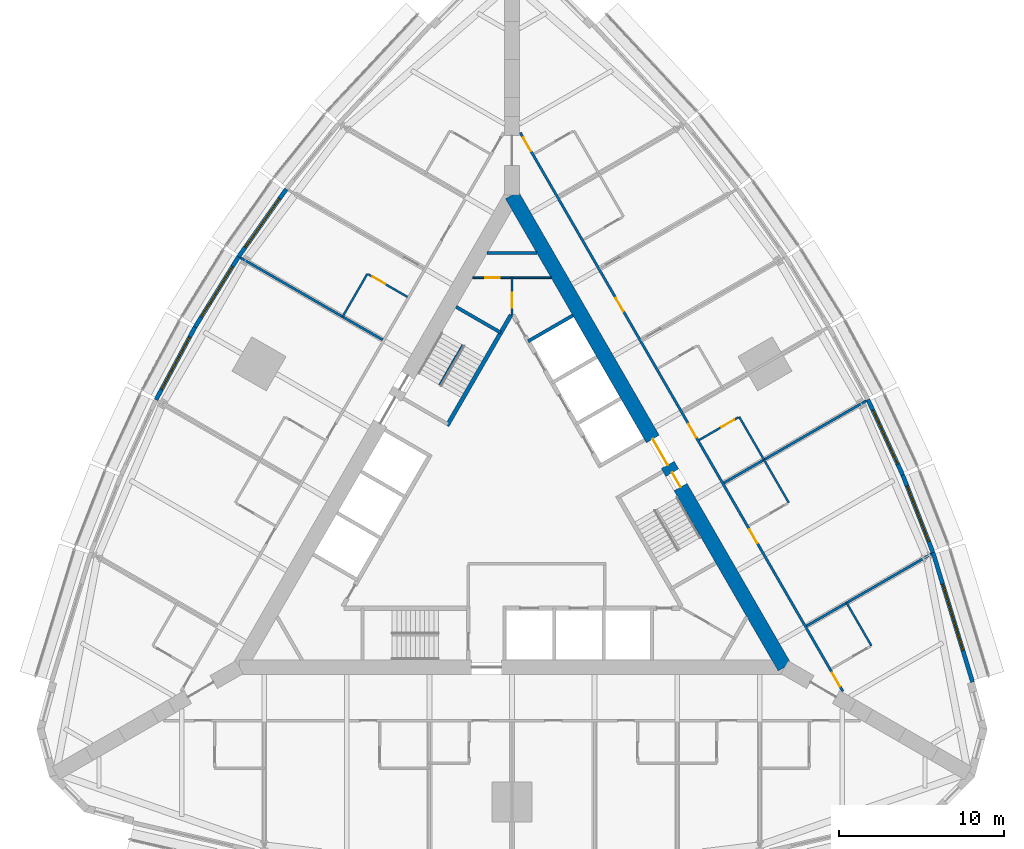
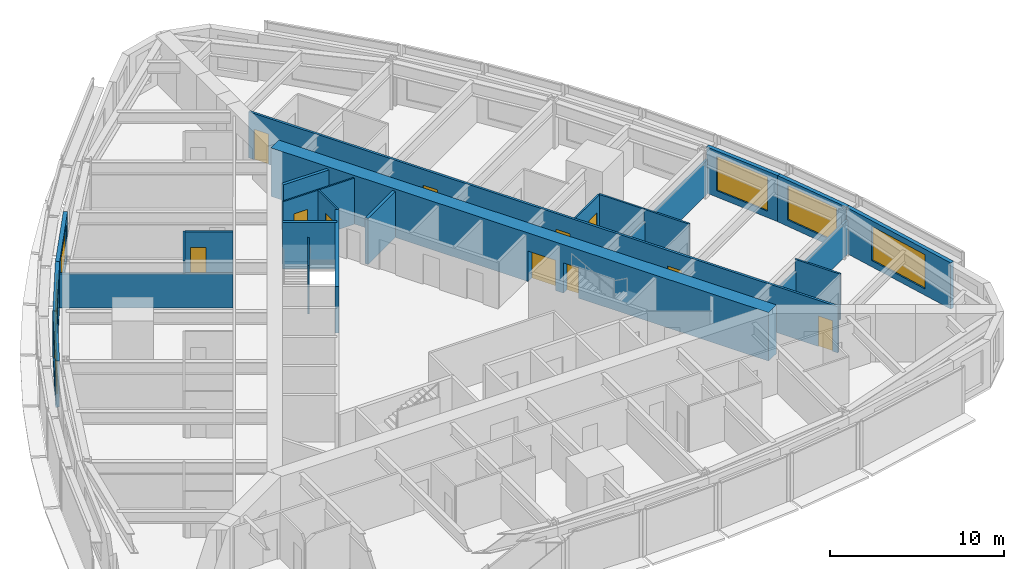
# One storey, part 11 of 14: 24 walls, 11 doors, 6 windows, 17 openings.
"""IFC4 building model written with IfcOpenShell, lengths in metres."""

from ifc_helpers import new_model, si_unit, direction, frame, frame_2d, origin, place, context, subcontext, project, spatial, rectangle, extrude, material, layer, layer_set, type_object, element, fill, save


model = new_model("IFC4")

# Units and contexts
model_context = context("Model", 3, precision=1e-05, world=origin(), true_north=direction((0.0, 1.0)))
body_context = subcontext(model_context, "Body", "Model", "MODEL_VIEW")
ifc_project = project(units=[si_unit("LENGTHUNIT", "METRE"), si_unit("AREAUNIT", "SQUARE_METRE"), si_unit("VOLUMEUNIT", "CUBIC_METRE"), si_unit("PLANEANGLEUNIT", "RADIAN"), si_unit("MASSUNIT", "GRAM", prefix="KILO")], contexts=[model_context])

# Site, building, storey
site_placement = place(None, origin())
site = spatial("IfcSite", under=ifc_project, at=site_placement, CompositionType="ELEMENT")
building_placement = place(site_placement, origin())
building = spatial("IfcBuilding", under=site, at=building_placement, Name="Trikona Tower", CompositionType="ELEMENT")
storey_placement = place(building_placement, frame((0.0, 0.0, 89.699951171875)))
storey = spatial("IfcBuildingStorey", under=building, at=storey_placement, Name="L23", CompositionType="ELEMENT", Elevation=89.699951171875)

# Walls
ifc_material_1 = material(Name="Metal stud and cement board", Category="gypsum")
ifc_layer_1 = layer(ifc_material_1, 0.1201171875)
ifc_layer_set_1 = layer_set([ifc_layer_1], Name="Bathroom wall 120")
wall_type_1 = type_object("IfcWallType", Name="Bathroom wall 120", PredefinedType="PLUMBINGWALL", material=ifc_layer_set_1)
for number, where, z_axis, x_axis, name in (
    (1, (21.75341796875, -8.225341796875, 0.0), (0.0, 0.0, 1.0), (-0.499990139034, 0.866031096941, 0.0), "Bathroom wall 2307"),
    (2, (16.75341796875, 0.434814453125, 0.0), (0.0, 0.0, 1.0), (-0.499990139034, 0.866031096941, 0.0), "Bathroom wall 2308"),
    (3, (15.25341796875, 3.032958984375, 0.0), (0.0, 0.0, 1.0), (-0.499990139034, 0.866031096941, 0.0), "Bathroom wall 2309"),
):
    element("IfcWall", number, at=place(storey_placement, frame(where, z_axis=z_axis, x_axis=x_axis)), inside=storey, type_object=wall_type_1, Name=name, PredefinedType="PLUMBINGWALL", context=body_context, shape_type="SweptSolid", body=[
        extrude(rectangle(XDim=3.0, YDim=0.1201171875, at=frame_2d((1.5, 0.0))), origin(), (0.0, 0.0, 1.0), 3.235107421875),
    ])

# Wall, opening, door
wall_1_placement = place(storey_placement, frame((11.32861328125, 4.231201171875, 0.0), z_axis=(0.0, 0.0, 1.0), x_axis=(0.866035715982, 0.499982138324, 0.0)))
wall_1 = element("IfcWall", 4, at=wall_1_placement, inside=storey, type_object=wall_type_1, Name="Bathroom wall 2309", PredefinedType="PLUMBINGWALL", context=body_context, shape_type="SweptSolid", body=[
    extrude(rectangle(XDim=2.73974609375, YDim=0.1201171875, at=frame_2d((1.369873046875, 0.0))), origin(), (0.0, 0.0, 1.0), 3.235107421875),
])
opening_1_placement = place(wall_1_placement, frame((1.550048828125, 0.0, 0.0)))
opening_1 = element("IfcOpeningElement", 5, at=opening_1_placement, cuts=wall_1, Name="Opening D2", PredefinedType="OPENING", context=body_context, shape_type="SweptSolid", body=[
    extrude(rectangle(XDim=0.89990234375, YDim=2.1298828125, at=frame_2d((0.449951171875, 1.06494140625))), frame((0.0, 0.070068359375, 0.0), z_axis=(0.0, -1.0, 0.0), x_axis=(1.0, 0.0, 0.0)), (0.0, 0.0, 1.0), 0.14013671875),
])
ifc_material_2 = material(Name="Steel door frame with solid-core timber leaf", Category="steel")
door_type_1 = type_object("IfcDoorType", Name="Bathroom door 900x2130", OperationType="SLIDING_TO_LEFT", PredefinedType="DOOR", material=ifc_material_2)
door_1_placement = place(opening_1_placement, origin())
door_1 = element("IfcDoor", 6, at=door_1_placement, inside=storey, type_object=door_type_1, Name="Bathroom door 2309", OperationType="SLIDING_TO_LEFT", OverallHeight=2.1298828125, OverallWidth=0.89990234375, PredefinedType="DOOR", context=body_context, shape_type="SweptSolid", body=[
    extrude(rectangle(XDim=0.89990234375, YDim=2.1298828125, at=frame_2d((0.449951171875, 1.06494140625))), frame((0.0, 0.02490234375, 0.0), z_axis=(0.0, -1.0, 0.0), x_axis=(1.0, 0.0, 0.0)), (0.0, 0.0, 1.0), 0.050048828125),
])
fill(opening_1, door_1)

# Wall
wall_2_placement = place(storey_placement, frame((-8.75341796875, 14.291259765625, 0.0), z_axis=(0.0, 0.0, 1.0), x_axis=(-0.50002537861, -0.866010750942, 0.0)))
element("IfcWall", 7, at=wall_2_placement, inside=storey, type_object=wall_type_1, Name="Bathroom wall 2313.1", PredefinedType="PLUMBINGWALL", context=body_context, shape_type="SweptSolid", body=[
    extrude(rectangle(XDim=2.999755859375, YDim=0.1201171875, at=frame_2d((1.5, 0.0))), origin(), (0.0, 0.0, 1.0), 3.235107421875),
])

# Wall, opening, door
wall_3_placement = place(storey_placement, frame((-6.32861328125, 12.891357421875, 0.0), z_axis=(0.0, 0.0, 1.0), x_axis=(-0.866035715982, 0.499982138324, 0.0)))
wall_3 = element("IfcWall", 8, at=wall_3_placement, inside=storey, type_object=wall_type_1, Name="Bathroom wall 2313.1", PredefinedType="PLUMBINGWALL", context=body_context, shape_type="SweptSolid", body=[
    extrude(rectangle(XDim=2.73974609375, YDim=0.1201171875, at=frame_2d((1.369873046875, 0.0))), origin(), (0.0, 0.0, 1.0), 3.235107421875),
])
opening_2_placement = place(wall_3_placement, frame((1.550048828125, 0.0, 0.0)))
opening_2 = element("IfcOpeningElement", 9, at=opening_2_placement, cuts=wall_3, Name="Opening D2", PredefinedType="OPENING", context=body_context, shape_type="SweptSolid", body=[
    extrude(rectangle(XDim=0.89990234375, YDim=2.1298828125, at=frame_2d((0.449951171875, 1.06494140625))), frame((0.0, 0.070068359375, 0.0), z_axis=(0.0, -1.0, 0.0), x_axis=(1.0, 0.0, 0.0)), (0.0, 0.0, 1.0), 0.14013671875),
])
door_2_placement = place(opening_2_placement, origin())
door_2 = element("IfcDoor", 10, at=door_2_placement, inside=storey, type_object=door_type_1, Name="Bathroom door 2313.1", OperationType="SLIDING_TO_LEFT", OverallHeight=2.1298828125, OverallWidth=0.89990234375, PredefinedType="DOOR", context=body_context, shape_type="SweptSolid", body=[
    extrude(rectangle(XDim=0.89990234375, YDim=2.1298828125, at=frame_2d((0.449951171875, 1.06494140625))), frame((0.0, 0.02490234375, 0.0), z_axis=(0.0, -1.0, 0.0), x_axis=(1.0, 0.0, 0.0)), (0.0, 0.0, 1.0), 0.050048828125),
])
fill(opening_2, door_2)

# Wall, openings, doors
ifc_material_3 = material(Name="Concrete f'c 10000 psi", Category="concrete")
ifc_layer_2 = layer(ifc_material_3, 0.89990234375)
ifc_layer_set_2 = layer_set([ifc_layer_2], Name="Core wall 900")
wall_type_2 = type_object("IfcWallType", Name="Core wall 900", PredefinedType="SHEAR", material=ifc_layer_set_2)
wall_4_placement = place(storey_placement, frame((16.5, -9.5263671875, 0.0), z_axis=(0.0, 0.0, 1.0), x_axis=(-0.499999749417, 0.866025548458, 0.0)))
wall_4 = element("IfcWall", 11, at=wall_4_placement, inside=storey, type_object=wall_type_2, Name="Core wall B", PredefinedType="SHEAR", context=body_context, shape_type="SweptSolid", body=[
    extrude(rectangle(XDim=33.0, YDim=0.89990234375, at=frame_2d((16.5, 0.0))), origin(), (0.0, 0.0, 1.0), 3.400146484375),
])
opening_3_placement = place(wall_4_placement, frame((14.14990234375, 0.0, 0.0)))
opening_3 = element("IfcOpeningElement", 12, at=opening_3_placement, cuts=wall_4, Name="Opening D6", PredefinedType="OPENING", context=body_context, shape_type="SweptSolid", body=[
    extrude(rectangle(XDim=1.800048828125, YDim=2.1298828125, at=frame_2d((0.89990234375, 1.06494140625))), frame((0.0, 0.4599609375, 0.0), z_axis=(0.0, -1.0, 0.0), x_axis=(1.0, 0.0, 0.0)), (0.0, 0.0, 1.0), 0.919921875),
])
opening_4_placement = place(wall_4_placement, frame((12.60009765625, 0.0, 0.0)))
opening_4 = element("IfcOpeningElement", 13, at=opening_4_placement, cuts=wall_4, Name="Opening D5", PredefinedType="OPENING", context=body_context, shape_type="SweptSolid", body=[
    extrude(rectangle(XDim=1.0, YDim=2.1298828125, at=frame_2d((0.5, 1.06494140625))), frame((0.0, 0.4599609375, 0.0), z_axis=(0.0, -1.0, 0.0), x_axis=(1.0, 0.0, 0.0)), (0.0, 0.0, 1.0), 0.919921875),
])
ifc_material_4 = material(Name="Hollow metal door and frame", Category="steel")
door_type_2 = type_object("IfcDoorType", Name="Lobby door pair 1800x2130", OperationType="DOUBLE_DOOR_SINGLE_SWING", PredefinedType="DOOR", material=ifc_material_4)
door_3_placement = place(opening_3_placement, origin())
door_3 = element("IfcDoor", 14, at=door_3_placement, inside=storey, type_object=door_type_2, Name="Lift lobby door B", OperationType="DOUBLE_DOOR_SINGLE_SWING", OverallHeight=2.1298828125, OverallWidth=1.800048828125, PredefinedType="DOOR", context=body_context, shape_type="SweptSolid", body=[
    extrude(rectangle(XDim=1.800048828125, YDim=2.1298828125, at=frame_2d((0.89990234375, 1.06494140625))), frame((0.0, 0.02490234375, 0.0), z_axis=(0.0, -1.0, 0.0), x_axis=(1.0, 0.0, 0.0)), (0.0, 0.0, 1.0), 0.050048828125),
])
fill(opening_3, door_3)
ifc_material_5 = material(Name="Hollow metal door and frame", Category="steel")
door_type_3 = type_object("IfcDoorType", Name="Stair door 1000x2130", OperationType="SINGLE_SWING_LEFT", PredefinedType="DOOR", material=ifc_material_5)
door_4_placement = place(opening_4_placement, origin())
door_4 = element("IfcDoor", 15, at=door_4_placement, inside=storey, type_object=door_type_3, Name="Stair B door", OperationType="SINGLE_SWING_RIGHT", OverallHeight=2.1298828125, OverallWidth=1.0, PredefinedType="DOOR", context=body_context, shape_type="SweptSolid", body=[
    extrude(rectangle(XDim=1.0, YDim=2.1298828125, at=frame_2d((0.5, 1.06494140625))), frame((0.0, 0.02490234375, 0.0), z_axis=(0.0, -1.0, 0.0), x_axis=(1.0, 0.0, 0.0)), (0.0, 0.0, 1.0), 0.050048828125),
])
fill(opening_4, door_4)

ifc_material_6 = material(Name="Metal stud and gypsum board, 1-hour", Category="gypsum")
ifc_layer_3 = layer(ifc_material_6, 0.14990234375)
ifc_layer_set_3 = layer_set([ifc_layer_3], Name="Corridor wall 150")
wall_type_3 = type_object("IfcWallType", Name="Corridor wall 150", PredefinedType="PARTITIONING", material=ifc_layer_set_3)
wall_5_placement = place(storey_placement, frame((20.027099609375, -10.9853515625, 0.0), z_axis=(0.0, 0.0, 1.0), x_axis=(-0.500001677587, 0.866024435227, 0.0)))
wall_5 = element("IfcWall", 16, at=wall_5_placement, inside=storey, type_object=wall_type_3, Name="Corridor wall L23-2", PredefinedType="PARTITIONING", context=body_context, shape_type="SweptSolid", body=[
    extrude(rectangle(XDim=39.053955078125, YDim=0.14990234375, at=frame_2d((19.52685546875, 0.0))), origin(), (0.0, 0.0, 1.0), 3.235107421875),
])
opening_5_placement = place(wall_5_placement, frame((0.35205078125, 0.0, 0.0)))
opening_5 = element("IfcOpeningElement", 17, at=opening_5_placement, cuts=wall_5, Name="Opening D1", PredefinedType="OPENING", context=body_context, shape_type="SweptSolid", body=[
    extrude(rectangle(XDim=0.949951171875, YDim=2.1298828125, at=frame_2d((0.47509765625, 1.06494140625))), frame((0.0, 0.0849609375, 0.0), z_axis=(0.0, -1.0, 0.0), x_axis=(1.0, 0.0, 0.0)), (0.0, 0.0, 1.0), 0.169921875),
])
opening_6_placement = place(wall_5_placement, frame((10.35205078125, 0.0, 0.0)))
opening_6 = element("IfcOpeningElement", 18, at=opening_6_placement, cuts=wall_5, Name="Opening D1", PredefinedType="OPENING", context=body_context, shape_type="SweptSolid", body=[
    extrude(rectangle(XDim=0.949951171875, YDim=2.1298828125, at=frame_2d((0.47509765625, 1.06494140625))), frame((0.0, 0.0849609375, 0.0), z_axis=(0.0, -1.0, 0.0), x_axis=(1.0, 0.0, 0.0)), (0.0, 0.0, 1.0), 0.169921875),
])
opening_7_placement = place(wall_5_placement, frame((17.751953125, 0.0, 0.0)))
opening_7 = element("IfcOpeningElement", 19, at=opening_7_placement, cuts=wall_5, Name="Opening D1", PredefinedType="OPENING", context=body_context, shape_type="SweptSolid", body=[
    extrude(rectangle(XDim=0.949951171875, YDim=2.1298828125, at=frame_2d((0.47509765625, 1.06494140625))), frame((0.0, 0.0849609375, 0.0), z_axis=(0.0, -1.0, 0.0), x_axis=(1.0, 0.0, 0.0)), (0.0, 0.0, 1.0), 0.169921875),
])
opening_8_placement = place(wall_5_placement, frame((26.552001953125, 0.0, 0.0)))
opening_8 = element("IfcOpeningElement", 20, at=opening_8_placement, cuts=wall_5, Name="Opening D1", PredefinedType="OPENING", context=body_context, shape_type="SweptSolid", body=[
    extrude(rectangle(XDim=0.949951171875, YDim=2.1298828125, at=frame_2d((0.47509765625, 1.06494140625))), frame((0.0, 0.0849609375, 0.0), z_axis=(0.0, -1.0, 0.0), x_axis=(1.0, 0.0, 0.0)), (0.0, 0.0, 1.0), 0.169921875),
])
opening_9_placement = place(wall_5_placement, frame((37.751953125, 0.0, 0.0)))
opening_9 = element("IfcOpeningElement", 21, at=opening_9_placement, cuts=wall_5, Name="Opening D1", PredefinedType="OPENING", context=body_context, shape_type="SweptSolid", body=[
    extrude(rectangle(XDim=0.949951171875, YDim=2.1298828125, at=frame_2d((0.47509765625, 1.06494140625))), frame((0.0, 0.0849609375, 0.0), z_axis=(0.0, -1.0, 0.0), x_axis=(1.0, 0.0, 0.0)), (0.0, 0.0, 1.0), 0.169921875),
])
ifc_material_7 = material(Name="Steel door frame with solid-core timber leaf", Category="steel")
door_type_4 = type_object("IfcDoorType", Name="Guest room door 950x2130", OperationType="SINGLE_SWING_LEFT", PredefinedType="DOOR", material=ifc_material_7)
door_5_placement = place(opening_5_placement, origin())
door_5 = element("IfcDoor", 22, at=door_5_placement, inside=storey, type_object=door_type_4, Name="Room door 2307", OperationType="SINGLE_SWING_LEFT", OverallHeight=2.1298828125, OverallWidth=0.949951171875, PredefinedType="DOOR", context=body_context, shape_type="SweptSolid", body=[
    extrude(rectangle(XDim=0.949951171875, YDim=2.1298828125, at=frame_2d((0.47509765625, 1.06494140625))), frame((0.0, 0.02490234375, 0.0), z_axis=(0.0, -1.0, 0.0), x_axis=(1.0, 0.0, 0.0)), (0.0, 0.0, 1.0), 0.050048828125),
])
fill(opening_5, door_5)
door_6_placement = place(opening_6_placement, origin())
door_6 = element("IfcDoor", 23, at=door_6_placement, inside=storey, type_object=door_type_4, Name="Room door 2308", OperationType="SINGLE_SWING_RIGHT", OverallHeight=2.1298828125, OverallWidth=0.949951171875, PredefinedType="DOOR", context=body_context, shape_type="SweptSolid", body=[
    extrude(rectangle(XDim=0.949951171875, YDim=2.1298828125, at=frame_2d((0.47509765625, 1.06494140625))), frame((0.0, 0.02490234375, 0.0), z_axis=(0.0, -1.0, 0.0), x_axis=(1.0, 0.0, 0.0)), (0.0, 0.0, 1.0), 0.050048828125),
])
fill(opening_6, door_6)
door_7_placement = place(opening_7_placement, origin())
door_7 = element("IfcDoor", 24, at=door_7_placement, inside=storey, type_object=door_type_4, Name="Room door 2309", OperationType="SINGLE_SWING_LEFT", OverallHeight=2.1298828125, OverallWidth=0.949951171875, PredefinedType="DOOR", context=body_context, shape_type="SweptSolid", body=[
    extrude(rectangle(XDim=0.949951171875, YDim=2.1298828125, at=frame_2d((0.47509765625, 1.06494140625))), frame((0.0, 0.02490234375, 0.0), z_axis=(0.0, -1.0, 0.0), x_axis=(1.0, 0.0, 0.0)), (0.0, 0.0, 1.0), 0.050048828125),
])
fill(opening_7, door_7)
door_8_placement = place(opening_8_placement, origin())
door_8 = element("IfcDoor", 25, at=door_8_placement, inside=storey, type_object=door_type_4, Name="Room door 2310", OperationType="SINGLE_SWING_RIGHT", OverallHeight=2.1298828125, OverallWidth=0.949951171875, PredefinedType="DOOR", context=body_context, shape_type="SweptSolid", body=[
    extrude(rectangle(XDim=0.949951171875, YDim=2.1298828125, at=frame_2d((0.47509765625, 1.06494140625))), frame((0.0, 0.02490234375, 0.0), z_axis=(0.0, -1.0, 0.0), x_axis=(1.0, 0.0, 0.0)), (0.0, 0.0, 1.0), 0.050048828125),
])
fill(opening_8, door_8)
door_9_placement = place(opening_9_placement, origin())
door_9 = element("IfcDoor", 26, at=door_9_placement, inside=storey, type_object=door_type_4, Name="Room door 2311", OperationType="SINGLE_SWING_RIGHT", OverallHeight=2.1298828125, OverallWidth=0.949951171875, PredefinedType="DOOR", context=body_context, shape_type="SweptSolid", body=[
    extrude(rectangle(XDim=0.949951171875, YDim=2.1298828125, at=frame_2d((0.47509765625, 1.06494140625))), frame((0.0, 0.02490234375, 0.0), z_axis=(0.0, -1.0, 0.0), x_axis=(1.0, 0.0, 0.0)), (0.0, 0.0, 1.0), 0.050048828125),
])
fill(opening_9, door_9)

# Wall
ifc_material_8 = material(Name="Concrete f'c 8000 psi", Category="concrete")
ifc_layer_4 = layer(ifc_material_8, 0.25)
ifc_layer_set_4 = layer_set([ifc_layer_4], Name="Hub wall 250")
wall_type_4 = type_object("IfcWallType", Name="Hub wall 250", PredefinedType="SOLIDWALL", material=ifc_layer_set_4)
wall_6_placement = place(storey_placement, frame((-0.0625, 11.794189453125, 0.0), z_axis=(0.0, 0.0, 1.0), x_axis=(-0.500006680225, -0.86602154692, 0.0)))
element("IfcWall", 27, at=wall_6_placement, inside=storey, type_object=wall_type_4, Name="Lift lobby wall C1", PredefinedType="SOLIDWALL", context=body_context, shape_type="SweptSolid", body=[
    extrude(rectangle(XDim=7.73291015625, YDim=0.25, at=frame_2d((3.866455078125, 0.0))), origin(), (0.0, 0.0, 1.0), 3.235107421875),
])

# Wall, opening, window
ifc_material_9 = material(Name="Insulated precast concrete spandrel panel", Category="concrete")
ifc_layer_5 = layer(ifc_material_9, 0.25)
ifc_layer_set_5 = layer_set([ifc_layer_5], Name="Inner skin wall 250")
wall_type_5 = type_object("IfcWallType", Name="Inner skin wall 250", PredefinedType="STANDARD", material=ifc_layer_set_5)
wall_7_placement = place(storey_placement, frame((27.88037109375, -10.4287109375, 0.0), z_axis=(0.0, 0.0, 1.0), x_axis=(-0.2919790669, 0.956424709265, 0.0)))
wall_7 = element("IfcWall", 28, at=wall_7_placement, inside=storey, type_object=wall_type_5, Name="External wall L23-12", PredefinedType="STANDARD", context=body_context, shape_type="SweptSolid", body=[
    extrude(rectangle(XDim=8.211181640625, YDim=0.25, at=frame_2d((4.10546875, 0.0))), origin(), (0.0, 0.0, 1.0), 3.235107421875),
])
opening_10_placement = place(wall_7_placement, frame((2.005615234375, 0.0, 0.449951171875)))
opening_10 = element("IfcOpeningElement", 29, at=opening_10_placement, cuts=wall_7, Name="Opening W4224", PredefinedType="OPENING", context=body_context, shape_type="SweptSolid", body=[
    extrude(rectangle(XDim=4.199951171875, YDim=2.39990234375, at=frame_2d((2.10009765625, 1.199951171875))), frame((0.0, 0.135009765625, 0.0), z_axis=(0.0, -1.0, 0.0), x_axis=(1.0, 0.0, 0.0)), (0.0, 0.0, 1.0), 0.27001953125),
])
ifc_material_10 = material(Name="Aluminium-framed double glazing", Category="aluminium")
window_type_1 = type_object("IfcWindowType", Name="Window 4200x2400", PartitioningType="SINGLE_PANEL", PredefinedType="WINDOW", material=ifc_material_10)
window_1_placement = place(opening_10_placement, origin())
window_1 = element("IfcWindow", 30, at=window_1_placement, inside=storey, type_object=window_type_1, Name="Window 2307", OverallHeight=2.39990234375, OverallWidth=4.199951171875, PartitioningType="SINGLE_PANEL", PredefinedType="WINDOW", context=body_context, shape_type="SweptSolid", body=[
    extrude(rectangle(XDim=4.199951171875, YDim=2.39990234375, at=frame_2d((2.10009765625, 1.199951171875))), frame((0.0, 0.030029296875, 0.0), z_axis=(0.0, -1.0, 0.0), x_axis=(1.0, 0.0, 0.0)), (0.0, 0.0, 1.0), 0.06005859375),
])
fill(opening_10, window_1)

wall_8_placement = place(storey_placement, frame((25.486083984375, -2.58447265625, 0.0), z_axis=(0.0, 0.0, 1.0), x_axis=(-0.364013463868, 0.931393685894, 0.0)))
wall_8 = element("IfcWall", 31, at=wall_8_placement, inside=storey, type_object=wall_type_5, Name="External wall L23-13", PredefinedType="STANDARD", context=body_context, shape_type="SweptSolid", body=[
    extrude(rectangle(XDim=5.0576171875, YDim=0.25, at=frame_2d((2.52880859375, 0.0))), origin(), (0.0, 0.0, 1.0), 3.235107421875),
])
opening_11_placement = place(wall_8_placement, frame((0.728759765625, 0.0, 0.449951171875)))
opening_11 = element("IfcOpeningElement", 32, at=opening_11_placement, cuts=wall_8, Name="Opening W3624", PredefinedType="OPENING", context=body_context, shape_type="SweptSolid", body=[
    extrude(rectangle(XDim=3.60009765625, YDim=2.39990234375, at=frame_2d((1.800048828125, 1.199951171875))), frame((0.0, 0.135009765625, 0.0), z_axis=(0.0, -1.0, 0.0), x_axis=(1.0, 0.0, 0.0)), (0.0, 0.0, 1.0), 0.27001953125),
])
ifc_material_11 = material(Name="Aluminium-framed double glazing", Category="aluminium")
window_type_2 = type_object("IfcWindowType", Name="Window 3600x2400", PartitioningType="SINGLE_PANEL", PredefinedType="WINDOW", material=ifc_material_11)
window_2_placement = place(opening_11_placement, origin())
window_2 = element("IfcWindow", 33, at=window_2_placement, inside=storey, type_object=window_type_2, Name="Window 2308", OverallHeight=2.39990234375, OverallWidth=3.60009765625, PartitioningType="SINGLE_PANEL", PredefinedType="WINDOW", context=body_context, shape_type="SweptSolid", body=[
    extrude(rectangle(XDim=3.60009765625, YDim=2.39990234375, at=frame_2d((1.800048828125, 1.199951171875))), frame((0.0, 0.030029296875, 0.0), z_axis=(0.0, -1.0, 0.0), x_axis=(1.0, 0.0, 0.0)), (0.0, 0.0, 1.0), 0.06005859375),
])
fill(opening_11, window_2)

wall_9_placement = place(storey_placement, frame((23.64794921875, 2.119384765625, 0.0), z_axis=(0.0, 0.0, 1.0), x_axis=(-0.419203100754, 0.907892482796, 0.0)))
wall_9 = element("IfcWall", 34, at=wall_9_placement, inside=storey, type_object=wall_type_5, Name="External wall L23-14", PredefinedType="STANDARD", context=body_context, shape_type="SweptSolid", body=[
    extrude(rectangle(XDim=5.020751953125, YDim=0.25, at=frame_2d((2.51025390625, 0.0))), origin(), (0.0, 0.0, 1.0), 3.235107421875),
])
opening_12_placement = place(wall_9_placement, frame((0.71044921875, 0.0, 0.449951171875)))
opening_12 = element("IfcOpeningElement", 35, at=opening_12_placement, cuts=wall_9, Name="Opening W3624", PredefinedType="OPENING", context=body_context, shape_type="SweptSolid", body=[
    extrude(rectangle(XDim=3.60009765625, YDim=2.39990234375, at=frame_2d((1.800048828125, 1.199951171875))), frame((0.0, 0.135009765625, 0.0), z_axis=(0.0, -1.0, 0.0), x_axis=(1.0, 0.0, 0.0)), (0.0, 0.0, 1.0), 0.27001953125),
])
window_3_placement = place(opening_12_placement, origin())
window_3 = element("IfcWindow", 36, at=window_3_placement, inside=storey, type_object=window_type_2, Name="Window 2308", OverallHeight=2.39990234375, OverallWidth=3.60009765625, PartitioningType="SINGLE_PANEL", PredefinedType="WINDOW", context=body_context, shape_type="SweptSolid", body=[
    extrude(rectangle(XDim=3.60009765625, YDim=2.39990234375, at=frame_2d((1.800048828125, 1.199951171875))), frame((0.0, 0.030029296875, 0.0), z_axis=(0.0, -1.0, 0.0), x_axis=(1.0, 0.0, 0.0)), (0.0, 0.0, 1.0), 0.06005859375),
])
fill(opening_12, window_3)

wall_10_placement = place(storey_placement, frame((-13.659423828125, 19.420166015625, 0.0), z_axis=(0.0, 0.0, 1.0), x_axis=(-0.5766431066, -0.81699616132, 0.0)))
wall_10 = element("IfcWall", 37, at=wall_10_placement, inside=storey, type_object=wall_type_5, Name="External wall L23-26", PredefinedType="STANDARD", context=body_context, shape_type="SweptSolid", body=[
    extrude(rectangle(XDim=5.02099609375, YDim=0.25, at=frame_2d((2.510498046875, 0.0))), origin(), (0.0, 0.0, 1.0), 3.235107421875),
])
opening_13_placement = place(wall_10_placement, frame((0.71044921875, 0.0, 0.449951171875)))
opening_13 = element("IfcOpeningElement", 38, at=opening_13_placement, cuts=wall_10, Name="Opening W3624", PredefinedType="OPENING", context=body_context, shape_type="SweptSolid", body=[
    extrude(rectangle(XDim=3.60009765625, YDim=2.39990234375, at=frame_2d((1.800048828125, 1.199951171875))), frame((0.0, 0.135009765625, 0.0), z_axis=(0.0, -1.0, 0.0), x_axis=(1.0, 0.0, 0.0)), (0.0, 0.0, 1.0), 0.27001953125),
])
window_4_placement = place(opening_13_placement, origin())
window_4 = element("IfcWindow", 39, at=window_4_placement, inside=storey, type_object=window_type_2, Name="Window 2313.1", OverallHeight=2.39990234375, OverallWidth=3.60009765625, PartitioningType="SINGLE_PANEL", PredefinedType="WINDOW", context=body_context, shape_type="SweptSolid", body=[
    extrude(rectangle(XDim=3.60009765625, YDim=2.39990234375, at=frame_2d((1.800048828125, 1.199951171875))), frame((0.0, 0.030029296875, 0.0), z_axis=(0.0, -1.0, 0.0), x_axis=(1.0, 0.0, 0.0)), (0.0, 0.0, 1.0), 0.06005859375),
])
fill(opening_13, window_4)

wall_11_placement = place(storey_placement, frame((-16.550537109375, 15.324462890625, 0.0), z_axis=(0.0, 0.0, 1.0), x_axis=(-0.526132807704, -0.850402415717, 0.0)))
wall_11 = element("IfcWall", 40, at=wall_11_placement, inside=storey, type_object=wall_type_5, Name="External wall L23-27", PredefinedType="STANDARD", context=body_context, shape_type="SweptSolid", body=[
    extrude(rectangle(XDim=5.002197265625, YDim=0.25, at=frame_2d((2.5009765625, 0.0))), origin(), (0.0, 0.0, 1.0), 3.235107421875),
])
opening_14_placement = place(wall_11_placement, frame((0.701171875, 0.0, 0.449951171875)))
opening_14 = element("IfcOpeningElement", 41, at=opening_14_placement, cuts=wall_11, Name="Opening W3624", PredefinedType="OPENING", context=body_context, shape_type="SweptSolid", body=[
    extrude(rectangle(XDim=3.60009765625, YDim=2.39990234375, at=frame_2d((1.800048828125, 1.199951171875))), frame((0.0, 0.135009765625, 0.0), z_axis=(0.0, -1.0, 0.0), x_axis=(1.0, 0.0, 0.0)), (0.0, 0.0, 1.0), 0.27001953125),
])
window_5_placement = place(opening_14_placement, origin())
window_5 = element("IfcWindow", 42, at=window_5_placement, inside=storey, type_object=window_type_2, Name="Window 2314", OverallHeight=2.39990234375, OverallWidth=3.60009765625, PartitioningType="SINGLE_PANEL", PredefinedType="WINDOW", context=body_context, shape_type="SweptSolid", body=[
    extrude(rectangle(XDim=3.60009765625, YDim=2.39990234375, at=frame_2d((1.800048828125, 1.199951171875))), frame((0.0, 0.030029296875, 0.0), z_axis=(0.0, -1.0, 0.0), x_axis=(1.0, 0.0, 0.0)), (0.0, 0.0, 1.0), 0.06005859375),
])
fill(opening_14, window_5)

wall_12_placement = place(storey_placement, frame((-19.178466796875, 11.0771484375, 0.0), z_axis=(0.0, 0.0, 1.0), x_axis=(-0.473412820489, -0.880840678782, 0.0)))
wall_12 = element("IfcWall", 43, at=wall_12_placement, inside=storey, type_object=wall_type_5, Name="External wall L23-28", PredefinedType="STANDARD", context=body_context, shape_type="SweptSolid", body=[
    extrude(rectangle(XDim=5.00244140625, YDim=0.25, at=frame_2d((2.501220703125, 0.0))), origin(), (0.0, 0.0, 1.0), 3.235107421875),
])
opening_15_placement = place(wall_12_placement, frame((0.701171875, 0.0, 0.449951171875)))
opening_15 = element("IfcOpeningElement", 44, at=opening_15_placement, cuts=wall_12, Name="Opening W3624", PredefinedType="OPENING", context=body_context, shape_type="SweptSolid", body=[
    extrude(rectangle(XDim=3.60009765625, YDim=2.39990234375, at=frame_2d((1.800048828125, 1.199951171875))), frame((0.0, 0.135009765625, 0.0), z_axis=(0.0, -1.0, 0.0), x_axis=(1.0, 0.0, 0.0)), (0.0, 0.0, 1.0), 0.27001953125),
])
window_6_placement = place(opening_15_placement, origin())
window_6 = element("IfcWindow", 45, at=window_6_placement, inside=storey, type_object=window_type_2, Name="Window 2314", OverallHeight=2.39990234375, OverallWidth=3.60009765625, PartitioningType="SINGLE_PANEL", PredefinedType="WINDOW", context=body_context, shape_type="SweptSolid", body=[
    extrude(rectangle(XDim=3.60009765625, YDim=2.39990234375, at=frame_2d((1.800048828125, 1.199951171875))), frame((0.0, 0.030029296875, 0.0), z_axis=(0.0, -1.0, 0.0), x_axis=(1.0, 0.0, 0.0)), (0.0, 0.0, 1.0), 0.06005859375),
])
fill(opening_15, window_6)

# Walls
ifc_material_12 = material(Name="Metal stud and gypsum board, 1-hour acoustic", Category="gypsum")
ifc_layer_6 = layer(ifc_material_12, 0.14990234375)
ifc_layer_set_6 = layer_set([ifc_layer_6], Name="Party wall 150")
wall_type_6 = type_object("IfcWallType", Name="Party wall 150", PredefinedType="PARTITIONING", material=ifc_layer_set_6)
wall_13_placement = place(storey_placement, frame((17.82861328125, -7.027099609375, 0.0), z_axis=(0.0, 0.0, 1.0), x_axis=(0.866032659912, 0.499987431809, 0.0)))
element("IfcWall", 46, at=wall_13_placement, inside=storey, type_object=wall_type_6, Name="Partition L23 F2 u-15", PredefinedType="PARTITIONING", context=body_context, shape_type="SweptSolid", body=[
    extrude(rectangle(XDim=8.719970703125, YDim=0.14990234375, at=frame_2d((4.35986328125, 0.0))), origin(), (0.0, 0.0, 1.0), 2.38916015625),
])
wall_14_placement = place(storey_placement, frame((12.82861328125, 1.633056640625, 0.0), z_axis=(0.0, 0.0, 1.0), x_axis=(0.866026934769, 0.499997348248, 0.0)))
element("IfcWall", 47, at=wall_14_placement, inside=storey, type_object=wall_type_6, Name="Partition L23 F2 u-5", PredefinedType="PARTITIONING", context=body_context, shape_type="SweptSolid", body=[
    extrude(rectangle(XDim=9.94287109375, YDim=0.14990234375, at=frame_2d((4.971435546875, 0.0))), origin(), (0.0, 0.0, 1.0), 2.38916015625),
])
wall_15_placement = place(storey_placement, frame((-7.82861328125, 10.293212890625, 0.0), z_axis=(0.0, 0.0, 1.0), x_axis=(-0.866016302457, 0.50001576363, 0.0)))
element("IfcWall", 48, at=wall_15_placement, inside=storey, type_object=wall_type_6, Name="Partition L23 F3 u-5", PredefinedType="PARTITIONING", context=body_context, shape_type="SweptSolid", body=[
    extrude(rectangle(XDim=9.943115234375, YDim=0.14990234375, at=frame_2d((4.9716796875, 0.0))), origin(), (0.0, 0.0, 1.0), 2.38916015625),
])
ifc_material_13 = material(Name="Concrete f'c 8000 psi", Category="concrete")
ifc_layer_7 = layer(ifc_material_13, 0.199951171875)
ifc_layer_set_7 = layer_set([ifc_layer_7], Name="Shaft wall 200")
wall_type_7 = type_object("IfcWallType", Name="Shaft wall 200", PredefinedType="SOLIDWALL", material=ifc_layer_set_7)
wall_16_placement = place(storey_placement, frame((0.97900390625, 10.20703125, 0.0), z_axis=(0.0, 0.0, 1.0), x_axis=(0.866022959057, 0.500004234368, 0.0)))
element("IfcWall", 49, at=wall_16_placement, inside=storey, type_object=wall_type_7, Name="Shaft wall B6", PredefinedType="SOLIDWALL", context=body_context, shape_type="SweptSolid", body=[
    extrude(rectangle(XDim=3.125, YDim=0.199951171875, at=frame_2d((1.5625, 0.0))), origin(), (0.0, 0.0, 1.0), 3.235107421875),
])
wall_17_placement = place(storey_placement, frame((-1.501220703125, 15.552490234375, 0.0), z_axis=(0.0, 0.0, 1.0), x_axis=(1.0, 0.0, 0.0)))
element("IfcWall", 50, at=wall_17_placement, inside=storey, type_object=wall_type_7, Name="Riser wall L23-RS2", PredefinedType="SOLIDWALL", context=body_context, shape_type="SweptSolid", body=[
    extrude(rectangle(XDim=3.00244140625, YDim=0.199951171875, at=frame_2d((1.501220703125, 0.0))), origin(), (0.0, 0.0, 1.0), 3.235107421875),
])
ifc_material_14 = material(Name="Concrete f'c 8000 psi", Category="concrete")
ifc_layer_8 = layer(ifc_material_14, 0.199951171875)
ifc_layer_set_8 = layer_set([ifc_layer_8], Name="Shaft wall 200 load-bearing")
wall_type_8 = type_object("IfcWallType", Name="Shaft wall 200 load-bearing", PredefinedType="SOLIDWALL", material=ifc_layer_set_8)
wall_18_placement = place(storey_placement, frame((-0.678955078125, 10.7265625, 0.0), z_axis=(0.0, 0.0, 1.0), x_axis=(-0.866022959057, 0.500004234368, 0.0)))
element("IfcWall", 51, at=wall_18_placement, inside=storey, type_object=wall_type_8, Name="Shaft wall C1", PredefinedType="SOLIDWALL", context=body_context, shape_type="SweptSolid", body=[
    extrude(rectangle(XDim=3.125, YDim=0.199951171875, at=frame_2d((1.5625, 0.0))), origin(), (0.0, 0.0, 1.0), 3.235107421875),
])
ifc_material_15 = material(Name="Concrete f'c 5000 psi", Category="concrete")
ifc_layer_9 = layer(ifc_material_15, 0.10009765625)
ifc_layer_set_9 = layer_set([ifc_layer_9], Name="Stair spine wall 100")
wall_type_9 = type_object("IfcWallType", Name="Stair spine wall 100", PredefinedType="SOLIDWALL", material=ifc_layer_set_9)
wall_19_placement = place(storey_placement, frame((-2.98779296875, 9.9775390625, 0.0), z_axis=(0.0, 0.0, 1.0), x_axis=(-0.499992232847, -0.866029888106, 0.0)))
element("IfcWall", 52, at=wall_19_placement, inside=storey, type_object=wall_type_9, Name="Stair C spine wall L23", PredefinedType="SOLIDWALL", context=body_context, shape_type="SweptSolid", body=[
    extrude(rectangle(XDim=2.7939453125, YDim=0.10009765625, at=frame_2d((1.39697265625, 0.0))), origin(), (0.0, 0.0, 1.0), 3.400146484375),
])

# Wall, opening, door
ifc_material_16 = material(Name="Metal stud and gypsum board, acoustic", Category="gypsum")
ifc_layer_10 = layer(ifc_material_16, 0.10009765625)
ifc_layer_set_10 = layer_set([ifc_layer_10], Name="Suite partition 100")
wall_type_10 = type_object("IfcWallType", Name="Suite partition 100", PredefinedType="PARTITIONING", material=ifc_layer_set_10)
wall_20_placement = place(storey_placement, frame((-2.3671875, 14.052490234375, 0.0), z_axis=(0.0, 0.0, 1.0), x_axis=(1.0, 0.0, 0.0)))
wall_20 = element("IfcWall", 53, at=wall_20_placement, inside=storey, type_object=wall_type_10, Name="Store partition L23-RS2", PredefinedType="PARTITIONING", context=body_context, shape_type="SweptSolid", body=[
    extrude(rectangle(XDim=4.734375, YDim=0.10009765625, at=frame_2d((2.3671875, 0.0))), origin(), (0.0, 0.0, 1.0), 3.235107421875),
])
opening_16_placement = place(wall_20_placement, frame((0.733642578125, 0.0, 0.0)))
opening_16 = element("IfcOpeningElement", 54, at=opening_16_placement, cuts=wall_20, Name="Opening D15", PredefinedType="OPENING", context=body_context, shape_type="SweptSolid", body=[
    extrude(rectangle(XDim=0.89990234375, YDim=2.1298828125, at=frame_2d((0.449951171875, 1.06494140625))), frame((0.0, 0.06005859375, 0.0), z_axis=(0.0, -1.0, 0.0), x_axis=(1.0, 0.0, 0.0)), (0.0, 0.0, 1.0), 0.1201171875),
])
ifc_material_17 = material(Name="Steel door frame with solid-core timber leaf", Category="steel")
door_type_5 = type_object("IfcDoorType", Name="Store door 900x2130", OperationType="SINGLE_SWING_LEFT", PredefinedType="DOOR", material=ifc_material_17)
door_10_placement = place(opening_16_placement, origin())
door_10 = element("IfcDoor", 55, at=door_10_placement, inside=storey, type_object=door_type_5, Name="Door Storage STO", OperationType="SINGLE_SWING_LEFT", OverallHeight=2.1298828125, OverallWidth=0.89990234375, PredefinedType="DOOR", context=body_context, shape_type="SweptSolid", body=[
    extrude(rectangle(XDim=0.89990234375, YDim=2.1298828125, at=frame_2d((0.449951171875, 1.06494140625))), frame((0.0, 0.02490234375, 0.0), z_axis=(0.0, -1.0, 0.0), x_axis=(1.0, 0.0, 0.0)), (0.0, 0.0, 1.0), 0.050048828125),
])
fill(opening_16, door_10)

wall_21_placement = place(storey_placement, frame((0.0, 14.052490234375, 0.0), z_axis=(0.0, 0.0, 1.0), x_axis=(0.0, -1.0, 0.0)))
wall_21 = element("IfcWall", 56, at=wall_21_placement, inside=storey, type_object=wall_type_10, Name="Store partition L23-RS2", PredefinedType="PARTITIONING", context=body_context, shape_type="SweptSolid", body=[
    extrude(rectangle(XDim=2.275146484375, YDim=0.10009765625, at=frame_2d((1.1376953125, 0.0))), origin(), (0.0, 0.0, 1.0), 3.235107421875),
])
opening_17_placement = place(wall_21_placement, frame((0.9150390625, 0.0, 0.0)))
opening_17 = element("IfcOpeningElement", 57, at=opening_17_placement, cuts=wall_21, Name="Opening D15", PredefinedType="OPENING", context=body_context, shape_type="SweptSolid", body=[
    extrude(rectangle(XDim=0.89990234375, YDim=2.1298828125, at=frame_2d((0.449951171875, 1.06494140625))), frame((0.0, 0.06005859375, 0.0), z_axis=(0.0, -1.0, 0.0), x_axis=(1.0, 0.0, 0.0)), (0.0, 0.0, 1.0), 0.1201171875),
])
door_11_placement = place(opening_17_placement, origin())
door_11 = element("IfcDoor", 58, at=door_11_placement, inside=storey, type_object=door_type_5, Name="Door Minibar store MBS", OperationType="SINGLE_SWING_RIGHT", OverallHeight=2.1298828125, OverallWidth=0.89990234375, PredefinedType="DOOR", context=body_context, shape_type="SweptSolid", body=[
    extrude(rectangle(XDim=0.89990234375, YDim=2.1298828125, at=frame_2d((0.449951171875, 1.06494140625))), frame((0.0, 0.02490234375, 0.0), z_axis=(0.0, -1.0, 0.0), x_axis=(1.0, 0.0, 0.0)), (0.0, 0.0, 1.0), 0.050048828125),
])
fill(opening_17, door_11)

save(model, "model.ifc")
